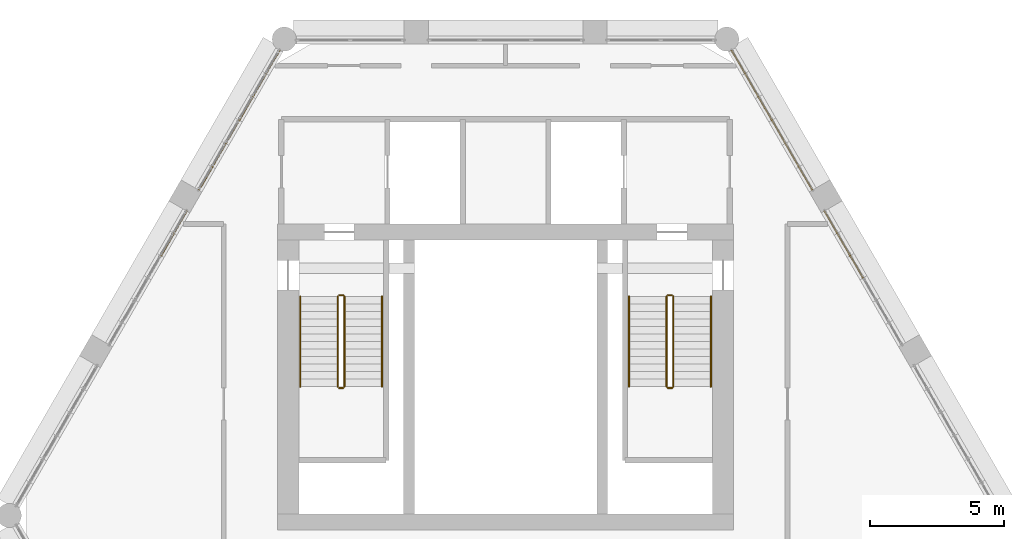
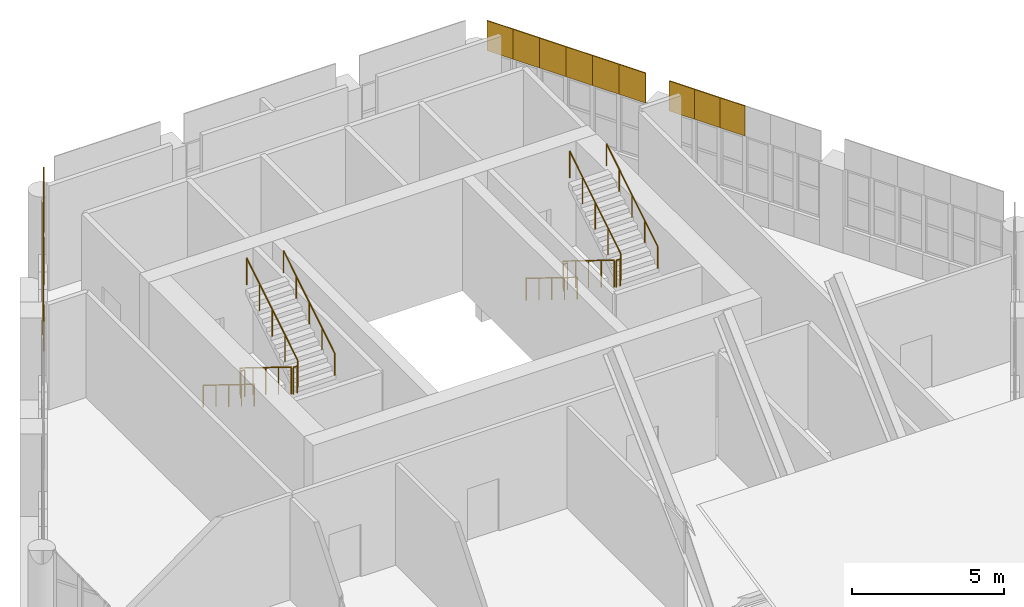
# One storey, part 24 of 25: 17 coverings, 12 railings.
"""IFC4 building model written with IfcOpenShell, lengths in metres."""

from ifc_helpers import new_model, si_unit, direction, frame, origin, origin_2d, place, context, subcontext, project, spatial, polyline, circle, outline, extrude, material, layer, layer_set, type_object, element, save


model = new_model("IFC4")

# Units and contexts
model_context = context("Model", 3, precision=1e-05, world=origin(), true_north=direction((0.0, 1.0)))
body_context = subcontext(model_context, "Body", "Model", "MODEL_VIEW")
ifc_project = project(units=[si_unit("LENGTHUNIT", "METRE"), si_unit("AREAUNIT", "SQUARE_METRE"), si_unit("VOLUMEUNIT", "CUBIC_METRE"), si_unit("PLANEANGLEUNIT", "RADIAN"), si_unit("MASSUNIT", "GRAM", prefix="KILO")], contexts=[model_context])

# Site, building, storey
site_placement = place(None, origin())
site = spatial("IfcSite", under=ifc_project, at=site_placement, CompositionType="ELEMENT")
building_placement = place(site_placement, origin())
building = spatial("IfcBuilding", under=site, at=building_placement, Name="Ostrander Bayou Hotel Tower", CompositionType="ELEMENT")
storey_placement = place(building_placement, frame((0.0, 0.0, 275.0)))
storey = spatial("IfcBuildingStorey", under=building, at=storey_placement, Name="L68", CompositionType="ELEMENT", Elevation=275.0)

# Coverings
ifc_material_1 = material(Name="Reconstituted stone panels", Category="masonry")
ifc_layer = layer(ifc_material_1, 0.0400390625)
ifc_layer_set = layer_set([ifc_layer], Name="CV3 crown cladding 40 mm")
covering_type = type_object("IfcCoveringType", Name="CV3 crown cladding 40 mm", PredefinedType="CLADDING", material=ifc_layer_set)
covering_1_placement = place(storey_placement, frame((-8.431884765625, 16.182373046875, 3.300048828125), z_axis=(-0.865942374699, 0.500143783026, 0.0), x_axis=(-0.500143783026, -0.865942374699, 0.0)))
element("IfcCovering", 1, at=covering_1_placement, inside=storey, type_object=covering_type, Name="CV3 crown fascia L68", PredefinedType="CLADDING", context=body_context, shape_type="SweptSolid", body=[
    extrude(outline(polyline([(0.0, 0.0), (1.0031295027587228, 0.0), (1.0031295027587228, 1.1999511718750002), (0.0, 1.1999511718750002), (0.0, 0.0)])), origin(), (0.0, 0.0, -1.0), 0.0400390625),
])
covering_2_placement = place(storey_placement, frame((-8.93359375, 15.313720703125, 3.300048828125), z_axis=(-0.8660032352, 0.500038395149, 0.0), x_axis=(-0.500038395149, -0.8660032352, 0.0)))
element("IfcCovering", 2, at=covering_2_placement, inside=storey, type_object=covering_type, Name="CV3 crown fascia L68", PredefinedType="CLADDING", context=body_context, shape_type="SweptSolid", body=[
    extrude(outline(polyline([(0.0, 0.0), (1.003340921901339, 0.0), (1.003340921901339, 1.199951171875), (0.0, 1.199951171875), (0.0, 0.0)])), origin(), (0.0, 0.0, -1.0), 0.0400390625),
])
covering_3_placement = place(storey_placement, frame((-9.435302734375, 14.44482421875, 3.300048828125), z_axis=(-0.866047774678, 0.499961250474, 0.0), x_axis=(-0.499961250474, -0.866047774678, 0.0)))
element("IfcCovering", 3, at=covering_3_placement, inside=storey, type_object=covering_type, Name="CV3 crown fascia L68", PredefinedType="CLADDING", context=body_context, shape_type="SweptSolid", body=[
    extrude(outline(polyline([(0.0, 0.0), (1.0030074196233945, 0.0), (1.0030074196233945, 1.199951171875), (0.0, 1.199951171875), (0.0, 0.0)])), origin(), (0.0, 0.0, -1.0), 0.0400390625),
])
covering_4_placement = place(storey_placement, frame((-9.936767578125, 13.576171875, 3.300048828125), z_axis=(-0.866108598161, 0.499855875421, 0.0), x_axis=(-0.499855875421, -0.866108598161, 0.0)))
element("IfcCovering", 4, at=covering_4_placement, inside=storey, type_object=covering_type, Name="CV3 crown fascia L68", PredefinedType="CLADDING", context=body_context, shape_type="SweptSolid", body=[
    extrude(outline(polyline([(0.0, 0.0), (1.0032188644939084, 0.0), (1.0032188644939084, 1.1999511718750002), (0.0, 1.1999511718750002), (0.0, 0.0)])), origin(), (0.0, 0.0, -1.0), 0.0400390625),
])
covering_5_placement = place(storey_placement, frame((-10.438232421875, 12.707275390625, 3.300048828125), z_axis=(-0.865942374699, 0.500143783026, 0.0), x_axis=(-0.500143783026, -0.865942374699, 0.0)))
element("IfcCovering", 5, at=covering_5_placement, inside=storey, type_object=covering_type, Name="CV3 crown fascia L68", PredefinedType="CLADDING", context=body_context, shape_type="SweptSolid", body=[
    extrude(outline(polyline([(0.0, 0.0), (1.0031295027587228, 0.0), (1.0031295027587228, 1.1999511718750002), (0.0, 1.1999511718750002), (0.0, 0.0)])), origin(), (0.0, 0.0, -1.0), 0.0400390625),
])
covering_6_placement = place(storey_placement, frame((-10.93994140625, 11.838623046875, 3.300048828125), z_axis=(-0.866108598161, 0.499855875421, 0.0), x_axis=(-0.499855875421, -0.866108598161, 0.0)))
element("IfcCovering", 6, at=covering_6_placement, inside=storey, type_object=covering_type, Name="CV3 crown fascia L68", PredefinedType="CLADDING", context=body_context, shape_type="SweptSolid", body=[
    extrude(outline(polyline([(0.0, 0.0), (1.0032188644939084, 0.0), (1.0032188644939084, 1.1999511718750002), (0.0, 1.1999511718750002), (0.0, 0.0)])), origin(), (0.0, 0.0, -1.0), 0.0400390625),
])
covering_7_placement = place(storey_placement, frame((-11.8916015625, 10.1904296875, 3.300048828125), z_axis=(-0.866122057702, 0.499832553123, 0.0), x_axis=(-0.499832553123, -0.866122057702, 0.0)))
element("IfcCovering", 7, at=covering_7_placement, inside=storey, type_object=covering_type, Name="CV3 crown fascia L68", PredefinedType="CLADDING", context=body_context, shape_type="SweptSolid", body=[
    extrude(outline(polyline([(0.0, 0.0), (0.9597940852937448, 0.0), (0.9597940852937448, 1.199951171875), (0.0, 1.199951171875), (0.0, 0.0)])), origin(), (0.0, 0.0, -1.0), 0.0400390625),
])
covering_8_placement = place(storey_placement, frame((-12.371337890625, 9.359130859375, 3.300048828125), z_axis=(-0.865948320045, 0.500133489192, 0.0), x_axis=(-0.500133489192, -0.865948320045, 0.0)))
element("IfcCovering", 8, at=covering_8_placement, inside=storey, type_object=covering_type, Name="CV3 crown fascia L68", PredefinedType="CLADDING", context=body_context, shape_type="SweptSolid", body=[
    extrude(outline(polyline([(0.0, 0.0), (0.9597047170860381, 0.0), (0.9597047170860381, 1.199951171875), (0.0, 1.199951171875), (0.0, 0.0)])), origin(), (0.0, 0.0, -1.0), 0.0400390625),
])
covering_9_placement = place(storey_placement, frame((13.331298828125, 7.69677734375, 3.300048828125), z_axis=(0.866011930837, 0.500023335103, 0.0), x_axis=(-0.500023335103, 0.866011930837, 0.0)))
element("IfcCovering", 9, at=covering_9_placement, inside=storey, type_object=covering_type, Name="CV3 crown fascia L68", PredefinedType="CLADDING", context=body_context, shape_type="SweptSolid", body=[
    extrude(outline(polyline([(0.0, 0.0), (0.9599161380159561, 0.0), (0.9599161380159561, 1.199951171875), (0.0, 1.199951171875), (0.0, 0.0)])), origin(), (0.0, 0.0, -1.0), 0.0400390625),
])
covering_10_placement = place(storey_placement, frame((12.851318359375, 8.528076171875, 3.300048828125), z_axis=(0.865948320045, 0.500133489192, 0.0), x_axis=(-0.500133489192, 0.865948320045, 0.0)))
element("IfcCovering", 10, at=covering_10_placement, inside=storey, type_object=covering_type, Name="CV3 crown fascia L68", PredefinedType="CLADDING", context=body_context, shape_type="SweptSolid", body=[
    extrude(outline(polyline([(0.0, 0.0), (0.9597047170860381, 0.0), (0.9597047170860381, 1.199951171875), (0.0, 1.199951171875), (0.0, 0.0)])), origin(), (0.0, 0.0, -1.0), 0.0400390625),
])
covering_11_placement = place(storey_placement, frame((12.371337890625, 9.359130859375, 3.300048828125), z_axis=(0.866122057702, 0.499832553123, 0.0), x_axis=(-0.499832553123, 0.866122057702, 0.0)))
element("IfcCovering", 11, at=covering_11_placement, inside=storey, type_object=covering_type, Name="CV3 crown fascia L68", PredefinedType="CLADDING", context=body_context, shape_type="SweptSolid", body=[
    extrude(outline(polyline([(0.0, 0.0), (0.9597940852937448, 0.0), (0.9597940852937448, 1.199951171875), (0.0, 1.199951171875), (0.0, 0.0)])), origin(), (0.0, 0.0, -1.0), 0.0400390625),
])
covering_12_placement = place(storey_placement, frame((11.44140625, 10.9697265625, 3.300048828125), z_axis=(0.866108598161, 0.499855875421, 0.0), x_axis=(-0.499855875421, 0.866108598161, 0.0)))
element("IfcCovering", 12, at=covering_12_placement, inside=storey, type_object=covering_type, Name="CV3 crown fascia L68", PredefinedType="CLADDING", context=body_context, shape_type="SweptSolid", body=[
    extrude(outline(polyline([(0.0, 0.0), (1.0032188644939084, 0.0), (1.0032188644939084, 1.1999511718750002), (0.0, 1.1999511718750002), (0.0, 0.0)])), origin(), (0.0, 0.0, -1.0), 0.0400390625),
])
covering_13_placement = place(storey_placement, frame((10.93994140625, 11.838623046875, 3.300048828125), z_axis=(0.865942374699, 0.500143783026, 0.0), x_axis=(-0.500143783026, 0.865942374699, 0.0)))
element("IfcCovering", 13, at=covering_13_placement, inside=storey, type_object=covering_type, Name="CV3 crown fascia L68", PredefinedType="CLADDING", context=body_context, shape_type="SweptSolid", body=[
    extrude(outline(polyline([(0.0, 0.0), (1.0031295027587228, 0.0), (1.0031295027587228, 1.1999511718750002), (0.0, 1.1999511718750002), (0.0, 0.0)])), origin(), (0.0, 0.0, -1.0), 0.0400390625),
])
covering_14_placement = place(storey_placement, frame((10.438232421875, 12.707275390625, 3.300048828125), z_axis=(0.866108598161, 0.499855875421, 0.0), x_axis=(-0.499855875421, 0.866108598161, 0.0)))
element("IfcCovering", 14, at=covering_14_placement, inside=storey, type_object=covering_type, Name="CV3 crown fascia L68", PredefinedType="CLADDING", context=body_context, shape_type="SweptSolid", body=[
    extrude(outline(polyline([(0.0, 0.0), (1.0032188644939084, 0.0), (1.0032188644939084, 1.1999511718750002), (0.0, 1.1999511718750002), (0.0, 0.0)])), origin(), (0.0, 0.0, -1.0), 0.0400390625),
])
covering_15_placement = place(storey_placement, frame((9.936767578125, 13.576171875, 3.300048828125), z_axis=(0.866047774678, 0.499961250474, 0.0), x_axis=(-0.499961250474, 0.866047774678, 0.0)))
element("IfcCovering", 15, at=covering_15_placement, inside=storey, type_object=covering_type, Name="CV3 crown fascia L68", PredefinedType="CLADDING", context=body_context, shape_type="SweptSolid", body=[
    extrude(outline(polyline([(0.0, 0.0), (1.0030074196233945, 0.0), (1.0030074196233945, 1.199951171875), (0.0, 1.199951171875), (0.0, 0.0)])), origin(), (0.0, 0.0, -1.0), 0.0400390625),
])
covering_16_placement = place(storey_placement, frame((9.435302734375, 14.44482421875, 3.300048828125), z_axis=(0.8660032352, 0.500038395149, 0.0), x_axis=(-0.500038395149, 0.8660032352, 0.0)))
element("IfcCovering", 16, at=covering_16_placement, inside=storey, type_object=covering_type, Name="CV3 crown fascia L68", PredefinedType="CLADDING", context=body_context, shape_type="SweptSolid", body=[
    extrude(outline(polyline([(0.0, 0.0), (1.003340921901339, 0.0), (1.003340921901339, 1.199951171875), (0.0, 1.199951171875), (0.0, 0.0)])), origin(), (0.0, 0.0, -1.0), 0.0400390625),
])
covering_17_placement = place(storey_placement, frame((8.93359375, 15.313720703125, 3.300048828125), z_axis=(0.865942374699, 0.500143783026, 0.0), x_axis=(-0.500143783026, 0.865942374699, 0.0)))
element("IfcCovering", 17, at=covering_17_placement, inside=storey, type_object=covering_type, Name="CV3 crown fascia L68", PredefinedType="CLADDING", context=body_context, shape_type="SweptSolid", body=[
    extrude(outline(polyline([(0.0, 0.0), (1.0031295027587228, 0.0), (1.0031295027587228, 1.1999511718750002), (0.0, 1.1999511718750002), (0.0, 0.0)])), origin(), (0.0, 0.0, -1.0), 0.0400390625),
])

# Railings
ifc_material_2 = material(Name="Steel ASTM A500 Gr C", Category="steel")
railing_type_1 = type_object("IfcRailingType", Name="GR1 stair guard 1100 mm steel", PredefinedType="GUARDRAIL", material=ifc_material_2)
railing_1_placement = place(storey_placement, frame((-6.25, 7.0, 0.173095703125)))
element("IfcRailing", 18, at=railing_1_placement, inside=storey, type_object=railing_type_1, Name="L68 STA stair guard 1", PredefinedType="GUARDRAIL", context=body_context, shape_type="SweptSolid", body=[
    extrude(circle(Radius=0.02392578125, at=origin_2d()), frame((0.0, 0.0, 1.076171875), z_axis=(0.0, -0.850623216509, 0.525775754039), x_axis=(1.0, 0.0, 0.0)), (0.0, 0.0, 1.0), 3.9501953125),
    extrude(circle(Radius=0.02099609375, at=origin_2d()), origin(), (0.0, 0.0, 1.0), 1.052001953125),
    extrude(circle(Radius=0.02099609375, at=origin_2d()), frame((0.0, -0.840087890625, 0.519287109375)), (0.0, 0.0, 1.0), 1.052001953125),
    extrude(circle(Radius=0.02099609375, at=origin_2d()), frame((0.0, -1.68017578125, 1.03857421875)), (0.0, 0.0, 1.0), 1.052001953125),
    extrude(circle(Radius=0.02099609375, at=origin_2d()), frame((0.0, -2.52001953125, 1.5576171875)), (0.0, 0.0, 1.0), 1.052001953125),
    extrude(circle(Radius=0.02099609375, at=origin_2d()), frame((0.0, -3.360107421875, 2.076904296875)), (0.0, 0.0, 1.0), 1.052001953125),
])
railing_2_placement = place(storey_placement, frame((-6.199951171875, 3.590087890625, 2.25)))
element("IfcRailing", 19, at=railing_2_placement, inside=storey, type_object=railing_type_1, Name="L68 STA stair guard 2", PredefinedType="GUARDRAIL", context=body_context, shape_type="SweptSolid", body=[
    extrude(circle(Radius=0.02392578125, at=origin_2d()), frame((0.0, 0.0, 1.076171875), z_axis=(1.0, 0.0, 0.0), x_axis=(0.0, 1.0, 0.0)), (0.0, 0.0, 1.0), 0.14990234375),
    extrude(circle(Radius=0.02099609375, at=origin_2d()), origin(), (0.0, 0.0, 1.0), 1.052001953125),
    extrude(circle(Radius=0.02099609375, at=origin_2d()), frame((0.14990234375, 0.0, 0.0)), (0.0, 0.0, 1.0), 1.052001953125),
])
railing_3_placement = place(storey_placement, frame((-6.0, 3.639892578125, 2.423095703125)))
element("IfcRailing", 20, at=railing_3_placement, inside=storey, type_object=railing_type_1, Name="L68 STA stair guard 3", PredefinedType="GUARDRAIL", context=body_context, shape_type="SweptSolid", body=[
    extrude(circle(Radius=0.02392578125, at=origin_2d()), frame((0.0, 0.0, 1.076171875), z_axis=(0.0, 0.850623216509, 0.525775754039), x_axis=(-1.0, 0.0, 0.0)), (0.0, 0.0, 1.0), 3.9501953125),
    extrude(circle(Radius=0.02099609375, at=origin_2d()), origin(), (0.0, 0.0, 1.0), 1.052001953125),
    extrude(circle(Radius=0.02099609375, at=origin_2d()), frame((0.0, 0.840087890625, 0.519287109375)), (0.0, 0.0, 1.0), 1.052001953125),
    extrude(circle(Radius=0.02099609375, at=origin_2d()), frame((0.0, 1.68017578125, 1.03857421875)), (0.0, 0.0, 1.0), 1.052001953125),
    extrude(circle(Radius=0.02099609375, at=origin_2d()), frame((0.0, 2.52001953125, 1.5576171875)), (0.0, 0.0, 1.0), 1.052001953125),
    extrude(circle(Radius=0.02099609375, at=origin_2d()), frame((0.0, 3.360107421875, 2.076904296875)), (0.0, 0.0, 1.0), 1.052001953125),
])
railing_4_placement = place(storey_placement, frame((-6.199951171875, 7.050048828125, 0.0)))
element("IfcRailing", 21, at=railing_4_placement, inside=storey, type_object=railing_type_1, Name="L68 STA stair guard 4", PredefinedType="GUARDRAIL", context=body_context, shape_type="SweptSolid", body=[
    extrude(circle(Radius=0.02392578125, at=origin_2d()), frame((0.0, 0.0, 1.076171875), z_axis=(1.0, 0.0, 0.0), x_axis=(0.0, 1.0, 0.0)), (0.0, 0.0, 1.0), 0.14990234375),
    extrude(circle(Radius=0.02099609375, at=origin_2d()), origin(), (0.0, 0.0, 1.0), 1.052001953125),
    extrude(circle(Radius=0.02099609375, at=origin_2d()), frame((0.14990234375, 0.0, 0.0)), (0.0, 0.0, 1.0), 1.052001953125),
])
railing_5_placement = place(storey_placement, frame((6.0, 7.0, 0.173095703125)))
element("IfcRailing", 22, at=railing_5_placement, inside=storey, type_object=railing_type_1, Name="L68 STB stair guard 1", PredefinedType="GUARDRAIL", context=body_context, shape_type="SweptSolid", body=[
    extrude(circle(Radius=0.02392578125, at=origin_2d()), frame((0.0, 0.0, 1.076171875), z_axis=(0.0, -0.850623216509, 0.525775754039), x_axis=(1.0, 0.0, 0.0)), (0.0, 0.0, 1.0), 3.9501953125),
    extrude(circle(Radius=0.02099609375, at=origin_2d()), origin(), (0.0, 0.0, 1.0), 1.052001953125),
    extrude(circle(Radius=0.02099609375, at=origin_2d()), frame((0.0, -0.840087890625, 0.519287109375)), (0.0, 0.0, 1.0), 1.052001953125),
    extrude(circle(Radius=0.02099609375, at=origin_2d()), frame((0.0, -1.68017578125, 1.03857421875)), (0.0, 0.0, 1.0), 1.052001953125),
    extrude(circle(Radius=0.02099609375, at=origin_2d()), frame((0.0, -2.52001953125, 1.5576171875)), (0.0, 0.0, 1.0), 1.052001953125),
    extrude(circle(Radius=0.02099609375, at=origin_2d()), frame((0.0, -3.360107421875, 2.076904296875)), (0.0, 0.0, 1.0), 1.052001953125),
])
railing_6_placement = place(storey_placement, frame((6.050048828125, 3.590087890625, 2.25)))
element("IfcRailing", 23, at=railing_6_placement, inside=storey, type_object=railing_type_1, Name="L68 STB stair guard 2", PredefinedType="GUARDRAIL", context=body_context, shape_type="SweptSolid", body=[
    extrude(circle(Radius=0.02392578125, at=origin_2d()), frame((0.0, 0.0, 1.076171875), z_axis=(1.0, 0.0, 0.0), x_axis=(0.0, 1.0, 0.0)), (0.0, 0.0, 1.0), 0.14990234375),
    extrude(circle(Radius=0.02099609375, at=origin_2d()), origin(), (0.0, 0.0, 1.0), 1.052001953125),
    extrude(circle(Radius=0.02099609375, at=origin_2d()), frame((0.14990234375, 0.0, 0.0)), (0.0, 0.0, 1.0), 1.052001953125),
])
railing_7_placement = place(storey_placement, frame((6.25, 3.639892578125, 2.423095703125)))
element("IfcRailing", 24, at=railing_7_placement, inside=storey, type_object=railing_type_1, Name="L68 STB stair guard 3", PredefinedType="GUARDRAIL", context=body_context, shape_type="SweptSolid", body=[
    extrude(circle(Radius=0.02392578125, at=origin_2d()), frame((0.0, 0.0, 1.076171875), z_axis=(0.0, 0.850623216509, 0.525775754039), x_axis=(-1.0, 0.0, 0.0)), (0.0, 0.0, 1.0), 3.9501953125),
    extrude(circle(Radius=0.02099609375, at=origin_2d()), origin(), (0.0, 0.0, 1.0), 1.052001953125),
    extrude(circle(Radius=0.02099609375, at=origin_2d()), frame((0.0, 0.840087890625, 0.519287109375)), (0.0, 0.0, 1.0), 1.052001953125),
    extrude(circle(Radius=0.02099609375, at=origin_2d()), frame((0.0, 1.68017578125, 1.03857421875)), (0.0, 0.0, 1.0), 1.052001953125),
    extrude(circle(Radius=0.02099609375, at=origin_2d()), frame((0.0, 2.52001953125, 1.5576171875)), (0.0, 0.0, 1.0), 1.052001953125),
    extrude(circle(Radius=0.02099609375, at=origin_2d()), frame((0.0, 3.360107421875, 2.076904296875)), (0.0, 0.0, 1.0), 1.052001953125),
])
railing_8_placement = place(storey_placement, frame((6.050048828125, 7.050048828125, 0.0)))
element("IfcRailing", 25, at=railing_8_placement, inside=storey, type_object=railing_type_1, Name="L68 STB stair guard 4", PredefinedType="GUARDRAIL", context=body_context, shape_type="SweptSolid", body=[
    extrude(circle(Radius=0.02392578125, at=origin_2d()), frame((0.0, 0.0, 1.076171875), z_axis=(1.0, 0.0, 0.0), x_axis=(0.0, 1.0, 0.0)), (0.0, 0.0, 1.0), 0.14990234375),
    extrude(circle(Radius=0.02099609375, at=origin_2d()), origin(), (0.0, 0.0, 1.0), 1.052001953125),
    extrude(circle(Radius=0.02099609375, at=origin_2d()), frame((0.14990234375, 0.0, 0.0)), (0.0, 0.0, 1.0), 1.052001953125),
])
ifc_material_3 = material(Name="Steel ASTM A500 Gr C", Category="steel")
railing_type_2 = type_object("IfcRailingType", Name="HR1 stair handrail 900 mm steel", PredefinedType="HANDRAIL", material=ifc_material_3)
railing_9_placement = place(storey_placement, frame((-7.64990234375, 7.0, 0.173095703125)))
element("IfcRailing", 26, at=railing_9_placement, inside=storey, type_object=railing_type_2, Name="L68 STA stair handrail 1", PredefinedType="HANDRAIL", context=body_context, shape_type="SweptSolid", body=[
    extrude(circle(Radius=0.02392578125, at=origin_2d()), frame((0.0, 0.0, 0.8759765625), z_axis=(0.0, -0.850623216509, 0.525775754039), x_axis=(1.0, 0.0, 0.0)), (0.0, 0.0, 1.0), 3.9501953125),
    extrude(circle(Radius=0.02099609375, at=origin_2d()), origin(), (0.0, 0.0, 1.0), 0.851806640625),
    extrude(circle(Radius=0.02099609375, at=origin_2d()), frame((0.0, -0.840087890625, 0.519287109375)), (0.0, 0.0, 1.0), 0.851806640625),
    extrude(circle(Radius=0.02099609375, at=origin_2d()), frame((0.0, -1.68017578125, 1.03857421875)), (0.0, 0.0, 1.0), 0.851806640625),
    extrude(circle(Radius=0.02099609375, at=origin_2d()), frame((0.0, -2.52001953125, 1.5576171875)), (0.0, 0.0, 1.0), 0.851806640625),
    extrude(circle(Radius=0.02099609375, at=origin_2d()), frame((0.0, -3.360107421875, 2.076904296875)), (0.0, 0.0, 1.0), 0.851806640625),
])
railing_10_placement = place(storey_placement, frame((-4.60009765625, 3.639892578125, 2.423095703125)))
element("IfcRailing", 27, at=railing_10_placement, inside=storey, type_object=railing_type_2, Name="L68 STA stair handrail 2", PredefinedType="HANDRAIL", context=body_context, shape_type="SweptSolid", body=[
    extrude(circle(Radius=0.02392578125, at=origin_2d()), frame((0.0, 0.0, 0.8759765625), z_axis=(0.0, 0.850623216509, 0.525775754039), x_axis=(-1.0, 0.0, 0.0)), (0.0, 0.0, 1.0), 3.9501953125),
    extrude(circle(Radius=0.02099609375, at=origin_2d()), origin(), (0.0, 0.0, 1.0), 0.851806640625),
    extrude(circle(Radius=0.02099609375, at=origin_2d()), frame((0.0, 0.840087890625, 0.519287109375)), (0.0, 0.0, 1.0), 0.851806640625),
    extrude(circle(Radius=0.02099609375, at=origin_2d()), frame((0.0, 1.68017578125, 1.03857421875)), (0.0, 0.0, 1.0), 0.851806640625),
    extrude(circle(Radius=0.02099609375, at=origin_2d()), frame((0.0, 2.52001953125, 1.5576171875)), (0.0, 0.0, 1.0), 0.851806640625),
    extrude(circle(Radius=0.02099609375, at=origin_2d()), frame((0.0, 3.360107421875, 2.076904296875)), (0.0, 0.0, 1.0), 0.851806640625),
])
railing_11_placement = place(storey_placement, frame((4.60009765625, 7.0, 0.173095703125)))
element("IfcRailing", 28, at=railing_11_placement, inside=storey, type_object=railing_type_2, Name="L68 STB stair handrail 1", PredefinedType="HANDRAIL", context=body_context, shape_type="SweptSolid", body=[
    extrude(circle(Radius=0.02392578125, at=origin_2d()), frame((0.0, 0.0, 0.8759765625), z_axis=(0.0, -0.850623216509, 0.525775754039), x_axis=(1.0, 0.0, 0.0)), (0.0, 0.0, 1.0), 3.9501953125),
    extrude(circle(Radius=0.02099609375, at=origin_2d()), origin(), (0.0, 0.0, 1.0), 0.851806640625),
    extrude(circle(Radius=0.02099609375, at=origin_2d()), frame((0.0, -0.840087890625, 0.519287109375)), (0.0, 0.0, 1.0), 0.851806640625),
    extrude(circle(Radius=0.02099609375, at=origin_2d()), frame((0.0, -1.68017578125, 1.03857421875)), (0.0, 0.0, 1.0), 0.851806640625),
    extrude(circle(Radius=0.02099609375, at=origin_2d()), frame((0.0, -2.52001953125, 1.5576171875)), (0.0, 0.0, 1.0), 0.851806640625),
    extrude(circle(Radius=0.02099609375, at=origin_2d()), frame((0.0, -3.360107421875, 2.076904296875)), (0.0, 0.0, 1.0), 0.851806640625),
])
railing_12_placement = place(storey_placement, frame((7.64990234375, 3.639892578125, 2.423095703125)))
element("IfcRailing", 29, at=railing_12_placement, inside=storey, type_object=railing_type_2, Name="L68 STB stair handrail 2", PredefinedType="HANDRAIL", context=body_context, shape_type="SweptSolid", body=[
    extrude(circle(Radius=0.02392578125, at=origin_2d()), frame((0.0, 0.0, 0.8759765625), z_axis=(0.0, 0.850623216509, 0.525775754039), x_axis=(-1.0, 0.0, 0.0)), (0.0, 0.0, 1.0), 3.9501953125),
    extrude(circle(Radius=0.02099609375, at=origin_2d()), origin(), (0.0, 0.0, 1.0), 0.851806640625),
    extrude(circle(Radius=0.02099609375, at=origin_2d()), frame((0.0, 0.840087890625, 0.519287109375)), (0.0, 0.0, 1.0), 0.851806640625),
    extrude(circle(Radius=0.02099609375, at=origin_2d()), frame((0.0, 1.68017578125, 1.03857421875)), (0.0, 0.0, 1.0), 0.851806640625),
    extrude(circle(Radius=0.02099609375, at=origin_2d()), frame((0.0, 2.52001953125, 1.5576171875)), (0.0, 0.0, 1.0), 0.851806640625),
    extrude(circle(Radius=0.02099609375, at=origin_2d()), frame((0.0, 3.360107421875, 2.076904296875)), (0.0, 0.0, 1.0), 0.851806640625),
])

save(model, "model.ifc")
